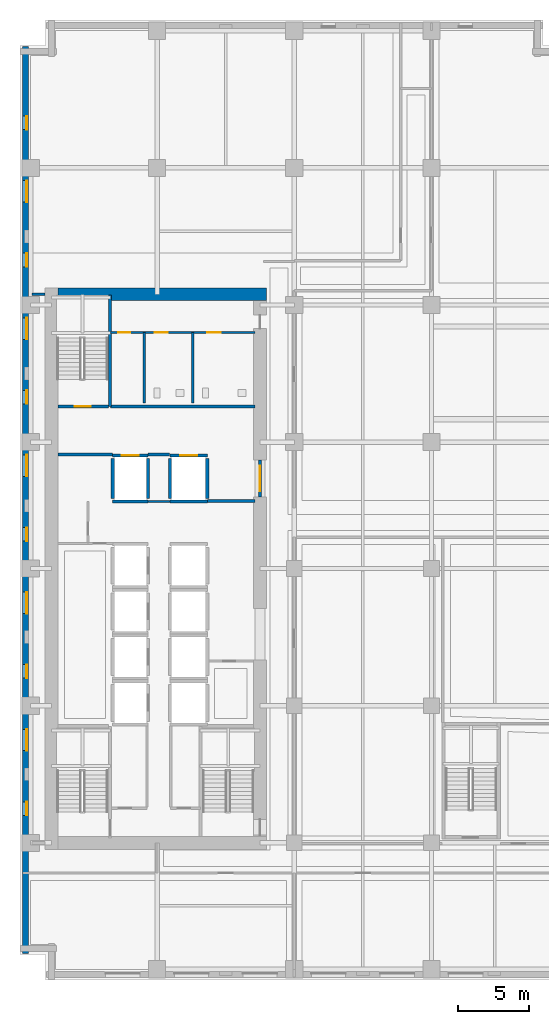
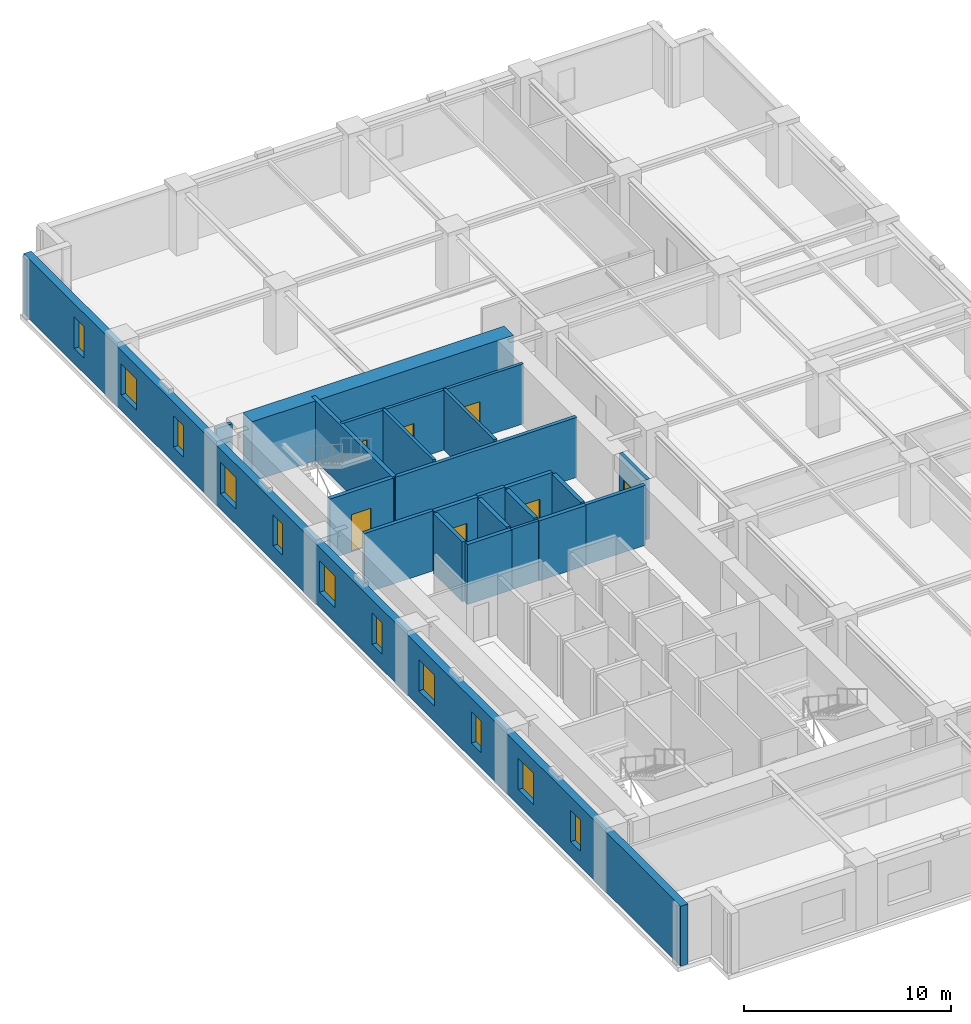
# One storey, part 6 of 13: 22 walls, 11 windows, 7 doors, 18 openings.
"""IFC4 building model written with IfcOpenShell, lengths in metres."""

from ifc_helpers import new_model, si_unit, direction, frame, frame_2d, origin, place, context, subcontext, project, spatial, rectangle, extrude, material, layer, layer_set, type_object, element, fill, save


model = new_model("IFC4")

# Units and contexts
model_context = context("Model", 3, precision=1e-05, world=origin(), true_north=direction((0.0, 1.0)))
body_context = subcontext(model_context, "Body", "Model", "MODEL_VIEW")
ifc_project = project(units=[si_unit("LENGTHUNIT", "METRE"), si_unit("AREAUNIT", "SQUARE_METRE"), si_unit("VOLUMEUNIT", "CUBIC_METRE"), si_unit("PLANEANGLEUNIT", "RADIAN"), si_unit("MASSUNIT", "GRAM", prefix="KILO")], contexts=[model_context])

# Site, building, storey
site_placement = place(None, origin())
site = spatial("IfcSite", under=ifc_project, at=site_placement, CompositionType="ELEMENT")
building_placement = place(site_placement, origin())
building = spatial("IfcBuilding", under=site, at=building_placement, Name="Norrvale University Quadrangle", CompositionType="ELEMENT")
storey_placement = place(building_placement, frame((0.0, 0.0, 54.60009765625)))
storey = spatial("IfcBuildingStorey", under=building, at=storey_placement, Name="L13", CompositionType="ELEMENT", Elevation=54.60009765625)

# Wall, openings, windows
ifc_material_1 = material(Name="Buff Norman Clay Brick Masonry", Category="masonry")
ifc_layer_1 = layer(ifc_material_1, 0.419921875, Name="Buff Norman Clay Brick Masonry")
ifc_layer_set_1 = layer_set([ifc_layer_1], Name="Buff Norman Clay Brick Masonry")
wall_type_1 = type_object("IfcWallType", Name="Wall Buff Brick 420", PredefinedType="SOLIDWALL", material=ifc_layer_set_1)
wall_1_placement = place(storey_placement, frame((0.389892578125, 65.360107421875, 0.0), z_axis=(0.0, 0.0, 1.0), x_axis=(0.0, -1.0, 0.0)))
wall_1 = element("IfcWall", 1, at=wall_1_placement, inside=storey, type_object=wall_type_1, Name="Exterior Brick Facade Wall L13-14.1", PredefinedType="SOLIDWALL", context=body_context, shape_type="SweptSolid", body=[
    extrude(rectangle(XDim=63.52001953125, YDim=0.419921875, at=frame_2d((31.760009765625, 0.0))), origin(), (0.0, 0.0, 1.0), 3.539794921875),
])
opening_1_placement = place(wall_1_placement, frame((4.885009765625, 0.0, 0.89990234375)))
opening_1 = element("IfcOpeningElement", 2, at=opening_1_placement, cuts=wall_1, Name="Opening W04", PredefinedType="OPENING", context=body_context, shape_type="SweptSolid", body=[
    extrude(rectangle(XDim=0.949951171875, YDim=1.85009765625, at=frame_2d((0.47509765625, 0.925048828125))), frame((0.0, 0.221923828125, 0.0), z_axis=(0.0, -1.0, 0.0), x_axis=(1.0, 0.0, 0.0)), (0.0, 0.0, 1.0), 0.44384765625),
])
opening_2_placement = place(wall_1_placement, frame((9.409912109375, 0.0, 0.89990234375)))
opening_2 = element("IfcOpeningElement", 3, at=opening_2_placement, cuts=wall_1, Name="Opening W03", PredefinedType="OPENING", context=body_context, shape_type="SweptSolid", body=[
    extrude(rectangle(XDim=1.5, YDim=1.85009765625, at=frame_2d((0.75, 0.925048828125))), frame((0.0, 0.221923828125, 0.0), z_axis=(0.0, -1.0, 0.0), x_axis=(1.0, 0.0, 0.0)), (0.0, 0.0, 1.0), 0.44384765625),
])
opening_3_placement = place(wall_1_placement, frame((14.485107421875, 0.0, 0.89990234375)))
opening_3 = element("IfcOpeningElement", 4, at=opening_3_placement, cuts=wall_1, Name="Opening W04", PredefinedType="OPENING", context=body_context, shape_type="SweptSolid", body=[
    extrude(rectangle(XDim=0.949951171875, YDim=1.85009765625, at=frame_2d((0.47509765625, 0.925048828125))), frame((0.0, 0.221923828125, 0.0), z_axis=(0.0, -1.0, 0.0), x_axis=(1.0, 0.0, 0.0)), (0.0, 0.0, 1.0), 0.44384765625),
])
opening_4_placement = place(wall_1_placement, frame((19.010009765625, 0.0, 0.89990234375)))
opening_4 = element("IfcOpeningElement", 5, at=opening_4_placement, cuts=wall_1, Name="Opening W03", PredefinedType="OPENING", context=body_context, shape_type="SweptSolid", body=[
    extrude(rectangle(XDim=1.5, YDim=1.85009765625, at=frame_2d((0.75, 0.925048828125))), frame((0.0, 0.221923828125, 0.0), z_axis=(0.0, -1.0, 0.0), x_axis=(1.0, 0.0, 0.0)), (0.0, 0.0, 1.0), 0.44384765625),
])
opening_5_placement = place(wall_1_placement, frame((24.0849609375, 0.0, 0.89990234375)))
opening_5 = element("IfcOpeningElement", 6, at=opening_5_placement, cuts=wall_1, Name="Opening W04", PredefinedType="OPENING", context=body_context, shape_type="SweptSolid", body=[
    extrude(rectangle(XDim=0.949951171875, YDim=1.85009765625, at=frame_2d((0.47509765625, 0.925048828125))), frame((0.0, 0.221923828125, 0.0), z_axis=(0.0, -1.0, 0.0), x_axis=(1.0, 0.0, 0.0)), (0.0, 0.0, 1.0), 0.44384765625),
])
opening_6_placement = place(wall_1_placement, frame((28.610107421875, 0.0, 0.89990234375)))
opening_6 = element("IfcOpeningElement", 7, at=opening_6_placement, cuts=wall_1, Name="Opening W03", PredefinedType="OPENING", context=body_context, shape_type="SweptSolid", body=[
    extrude(rectangle(XDim=1.5, YDim=1.85009765625, at=frame_2d((0.75, 0.925048828125))), frame((0.0, 0.221923828125, 0.0), z_axis=(0.0, -1.0, 0.0), x_axis=(1.0, 0.0, 0.0)), (0.0, 0.0, 1.0), 0.44384765625),
])
opening_7_placement = place(wall_1_placement, frame((33.68505859375, 0.0, 0.89990234375)))
opening_7 = element("IfcOpeningElement", 8, at=opening_7_placement, cuts=wall_1, Name="Opening W04", PredefinedType="OPENING", context=body_context, shape_type="SweptSolid", body=[
    extrude(rectangle(XDim=0.949951171875, YDim=1.85009765625, at=frame_2d((0.47509765625, 0.925048828125))), frame((0.0, 0.221923828125, 0.0), z_axis=(0.0, -1.0, 0.0), x_axis=(1.0, 0.0, 0.0)), (0.0, 0.0, 1.0), 0.44384765625),
])
opening_8_placement = place(wall_1_placement, frame((38.2099609375, 0.0, 0.89990234375)))
opening_8 = element("IfcOpeningElement", 9, at=opening_8_placement, cuts=wall_1, Name="Opening W03", PredefinedType="OPENING", context=body_context, shape_type="SweptSolid", body=[
    extrude(rectangle(XDim=1.5, YDim=1.85009765625, at=frame_2d((0.75, 0.925048828125))), frame((0.0, 0.221923828125, 0.0), z_axis=(0.0, -1.0, 0.0), x_axis=(1.0, 0.0, 0.0)), (0.0, 0.0, 1.0), 0.44384765625),
])
opening_9_placement = place(wall_1_placement, frame((43.284912109375, 0.0, 0.89990234375)))
opening_9 = element("IfcOpeningElement", 10, at=opening_9_placement, cuts=wall_1, Name="Opening W04", PredefinedType="OPENING", context=body_context, shape_type="SweptSolid", body=[
    extrude(rectangle(XDim=0.949951171875, YDim=1.85009765625, at=frame_2d((0.47509765625, 0.925048828125))), frame((0.0, 0.221923828125, 0.0), z_axis=(0.0, -1.0, 0.0), x_axis=(1.0, 0.0, 0.0)), (0.0, 0.0, 1.0), 0.44384765625),
])
opening_10_placement = place(wall_1_placement, frame((47.81005859375, 0.0, 0.89990234375)))
opening_10 = element("IfcOpeningElement", 11, at=opening_10_placement, cuts=wall_1, Name="Opening W03", PredefinedType="OPENING", context=body_context, shape_type="SweptSolid", body=[
    extrude(rectangle(XDim=1.5, YDim=1.85009765625, at=frame_2d((0.75, 0.925048828125))), frame((0.0, 0.221923828125, 0.0), z_axis=(0.0, -1.0, 0.0), x_axis=(1.0, 0.0, 0.0)), (0.0, 0.0, 1.0), 0.44384765625),
])
opening_11_placement = place(wall_1_placement, frame((52.885009765625, 0.0, 0.89990234375)))
opening_11 = element("IfcOpeningElement", 12, at=opening_11_placement, cuts=wall_1, Name="Opening W04", PredefinedType="OPENING", context=body_context, shape_type="SweptSolid", body=[
    extrude(rectangle(XDim=0.949951171875, YDim=1.85009765625, at=frame_2d((0.47509765625, 0.925048828125))), frame((0.0, 0.221923828125, 0.0), z_axis=(0.0, -1.0, 0.0), x_axis=(1.0, 0.0, 0.0)), (0.0, 0.0, 1.0), 0.44384765625),
])
ifc_material_2 = material(Name="Triple Low-E Argon Glazing", Category="glass")
window_type_1 = type_object("IfcWindowType", Name="Window Narrow Pier 950x2300", PartitioningType="SINGLE_PANEL", PredefinedType="WINDOW", material=ifc_material_2)
window_1_placement = place(opening_1_placement, origin())
window_1 = element("IfcWindow", 13, at=window_1_placement, inside=storey, type_object=window_type_1, Name="Window Narrow Pier 950x2300 WIN-L13-E14-1-01", OverallHeight=1.85009765625, OverallWidth=0.949951171875, PartitioningType="SINGLE_PANEL", PredefinedType="WINDOW", context=body_context, shape_type="SweptSolid", body=[
    extrude(rectangle(XDim=0.949951171875, YDim=1.85009765625, at=frame_2d((0.47509765625, 0.925048828125))), frame((0.0, 0.110107421875, 0.0), z_axis=(0.0, -1.0, 0.0), x_axis=(1.0, 0.0, 0.0)), (0.0, 0.0, 1.0), 0.06005859375),
])
fill(opening_1, window_1)
window_2_placement = place(opening_3_placement, origin())
window_2 = element("IfcWindow", 14, at=window_2_placement, inside=storey, type_object=window_type_1, Name="Window Narrow Pier 950x2300 WIN-L13-E14-1-03", OverallHeight=1.85009765625, OverallWidth=0.949951171875, PartitioningType="SINGLE_PANEL", PredefinedType="WINDOW", context=body_context, shape_type="SweptSolid", body=[
    extrude(rectangle(XDim=0.949951171875, YDim=1.85009765625, at=frame_2d((0.47509765625, 0.925048828125))), frame((0.0, 0.110107421875, 0.0), z_axis=(0.0, -1.0, 0.0), x_axis=(1.0, 0.0, 0.0)), (0.0, 0.0, 1.0), 0.06005859375),
])
fill(opening_3, window_2)
window_3_placement = place(opening_5_placement, origin())
window_3 = element("IfcWindow", 15, at=window_3_placement, inside=storey, type_object=window_type_1, Name="Window Narrow Pier 950x2300 WIN-L13-E14-1-05", OverallHeight=1.85009765625, OverallWidth=0.949951171875, PartitioningType="SINGLE_PANEL", PredefinedType="WINDOW", context=body_context, shape_type="SweptSolid", body=[
    extrude(rectangle(XDim=0.949951171875, YDim=1.85009765625, at=frame_2d((0.47509765625, 0.925048828125))), frame((0.0, 0.110107421875, 0.0), z_axis=(0.0, -1.0, 0.0), x_axis=(1.0, 0.0, 0.0)), (0.0, 0.0, 1.0), 0.06005859375),
])
fill(opening_5, window_3)
window_4_placement = place(opening_7_placement, origin())
window_4 = element("IfcWindow", 16, at=window_4_placement, inside=storey, type_object=window_type_1, Name="Window Narrow Pier 950x2300 WIN-L13-E14-1-07", OverallHeight=1.85009765625, OverallWidth=0.949951171875, PartitioningType="SINGLE_PANEL", PredefinedType="WINDOW", context=body_context, shape_type="SweptSolid", body=[
    extrude(rectangle(XDim=0.949951171875, YDim=1.85009765625, at=frame_2d((0.47509765625, 0.925048828125))), frame((0.0, 0.110107421875, 0.0), z_axis=(0.0, -1.0, 0.0), x_axis=(1.0, 0.0, 0.0)), (0.0, 0.0, 1.0), 0.06005859375),
])
fill(opening_7, window_4)
window_5_placement = place(opening_9_placement, origin())
window_5 = element("IfcWindow", 17, at=window_5_placement, inside=storey, type_object=window_type_1, Name="Window Narrow Pier 950x2300 WIN-L13-E14-1-09", OverallHeight=1.85009765625, OverallWidth=0.949951171875, PartitioningType="SINGLE_PANEL", PredefinedType="WINDOW", context=body_context, shape_type="SweptSolid", body=[
    extrude(rectangle(XDim=0.949951171875, YDim=1.85009765625, at=frame_2d((0.47509765625, 0.925048828125))), frame((0.0, 0.110107421875, 0.0), z_axis=(0.0, -1.0, 0.0), x_axis=(1.0, 0.0, 0.0)), (0.0, 0.0, 1.0), 0.06005859375),
])
fill(opening_9, window_5)
window_6_placement = place(opening_11_placement, origin())
window_6 = element("IfcWindow", 18, at=window_6_placement, inside=storey, type_object=window_type_1, Name="Window Narrow Pier 950x2300 WIN-L13-E14-1-11", OverallHeight=1.85009765625, OverallWidth=0.949951171875, PartitioningType="SINGLE_PANEL", PredefinedType="WINDOW", context=body_context, shape_type="SweptSolid", body=[
    extrude(rectangle(XDim=0.949951171875, YDim=1.85009765625, at=frame_2d((0.47509765625, 0.925048828125))), frame((0.0, 0.110107421875, 0.0), z_axis=(0.0, -1.0, 0.0), x_axis=(1.0, 0.0, 0.0)), (0.0, 0.0, 1.0), 0.06005859375),
])
fill(opening_11, window_6)
window_type_2 = type_object("IfcWindowType", Name="Window Studio 1500x2300", PartitioningType="DOUBLE_PANEL_VERTICAL", PredefinedType="WINDOW", material=ifc_material_2)
window_7_placement = place(opening_2_placement, origin())
window_7 = element("IfcWindow", 19, at=window_7_placement, inside=storey, type_object=window_type_2, Name="Window Studio 1500x2300 WIN-L13-E14-1-02", OverallHeight=1.85009765625, OverallWidth=1.5, PartitioningType="DOUBLE_PANEL_VERTICAL", PredefinedType="WINDOW", context=body_context, shape_type="SweptSolid", body=[
    extrude(rectangle(XDim=1.5, YDim=1.85009765625, at=frame_2d((0.75, 0.925048828125))), frame((0.0, 0.110107421875, 0.0), z_axis=(0.0, -1.0, 0.0), x_axis=(1.0, 0.0, 0.0)), (0.0, 0.0, 1.0), 0.06005859375),
])
fill(opening_2, window_7)
window_8_placement = place(opening_4_placement, origin())
window_8 = element("IfcWindow", 20, at=window_8_placement, inside=storey, type_object=window_type_2, Name="Window Studio 1500x2300 WIN-L13-E14-1-04", OverallHeight=1.85009765625, OverallWidth=1.5, PartitioningType="DOUBLE_PANEL_VERTICAL", PredefinedType="WINDOW", context=body_context, shape_type="SweptSolid", body=[
    extrude(rectangle(XDim=1.5, YDim=1.85009765625, at=frame_2d((0.75, 0.925048828125))), frame((0.0, 0.110107421875, 0.0), z_axis=(0.0, -1.0, 0.0), x_axis=(1.0, 0.0, 0.0)), (0.0, 0.0, 1.0), 0.06005859375),
])
fill(opening_4, window_8)
window_9_placement = place(opening_6_placement, origin())
window_9 = element("IfcWindow", 21, at=window_9_placement, inside=storey, type_object=window_type_2, Name="Window Studio 1500x2300 WIN-L13-E14-1-06", OverallHeight=1.85009765625, OverallWidth=1.5, PartitioningType="DOUBLE_PANEL_VERTICAL", PredefinedType="WINDOW", context=body_context, shape_type="SweptSolid", body=[
    extrude(rectangle(XDim=1.5, YDim=1.85009765625, at=frame_2d((0.75, 0.925048828125))), frame((0.0, 0.110107421875, 0.0), z_axis=(0.0, -1.0, 0.0), x_axis=(1.0, 0.0, 0.0)), (0.0, 0.0, 1.0), 0.06005859375),
])
fill(opening_6, window_9)
window_10_placement = place(opening_8_placement, origin())
window_10 = element("IfcWindow", 22, at=window_10_placement, inside=storey, type_object=window_type_2, Name="Window Studio 1500x2300 WIN-L13-E14-1-08", OverallHeight=1.85009765625, OverallWidth=1.5, PartitioningType="DOUBLE_PANEL_VERTICAL", PredefinedType="WINDOW", context=body_context, shape_type="SweptSolid", body=[
    extrude(rectangle(XDim=1.5, YDim=1.85009765625, at=frame_2d((0.75, 0.925048828125))), frame((0.0, 0.110107421875, 0.0), z_axis=(0.0, -1.0, 0.0), x_axis=(1.0, 0.0, 0.0)), (0.0, 0.0, 1.0), 0.06005859375),
])
fill(opening_8, window_10)
window_11_placement = place(opening_10_placement, origin())
window_11 = element("IfcWindow", 23, at=window_11_placement, inside=storey, type_object=window_type_2, Name="Window Studio 1500x2300 WIN-L13-E14-1-10", OverallHeight=1.85009765625, OverallWidth=1.5, PartitioningType="DOUBLE_PANEL_VERTICAL", PredefinedType="WINDOW", context=body_context, shape_type="SweptSolid", body=[
    extrude(rectangle(XDim=1.5, YDim=1.85009765625, at=frame_2d((0.75, 0.925048828125))), frame((0.0, 0.110107421875, 0.0), z_axis=(0.0, -1.0, 0.0), x_axis=(1.0, 0.0, 0.0)), (0.0, 0.0, 1.0), 0.06005859375),
])
fill(opening_10, window_11)

# Walls
ifc_material_3 = material(Name="Concrete C80/95", Category="concrete")
ifc_layer_2 = layer(ifc_material_3, 0.89990234375, Name="Concrete C80/95")
ifc_layer_set_2 = layer_set([ifc_layer_2], Name="Concrete C80/95")
wall_type_2 = type_object("IfcWallType", Name="Wall Core 900", PredefinedType="SHEAR", material=ifc_layer_set_2)
wall_2_placement = place(storey_placement, frame((2.64990234375, 48.0, 0.0), z_axis=(0.0, 0.0, 1.0), x_axis=(1.0, 0.0, 0.0)))
element("IfcWall", 24, at=wall_2_placement, inside=storey, type_object=wall_type_2, Name="Tower Core Shear Wall L13-N", PredefinedType="SHEAR", context=body_context, shape_type="SweptSolid", body=[
    extrude(rectangle(XDim=14.60009765625, YDim=0.89990234375, at=frame_2d((7.300048828125, 0.0))), origin(), (0.0, 0.0, 1.0), 3.539794921875),
])
ifc_material_4 = material(Name="Fire-Rated Gypsum Stud Partition")
ifc_layer_3 = layer(ifc_material_4, 0.14990234375, Name="Fire-Rated Gypsum Stud Partition")
ifc_layer_set_3 = layer_set([ifc_layer_3], Name="Fire-Rated Gypsum Stud Partition")
wall_type_3 = type_object("IfcWallType", Name="Wall Gypsum Corridor 150", PredefinedType="PARTITIONING", material=ifc_layer_set_3)
wall_3_placement = place(storey_placement, frame((8.965087890625, 33.489990234375, 0.0), z_axis=(0.0, 0.0, 1.0), x_axis=(1.0, 0.0, 0.0)))
element("IfcWall", 25, at=wall_3_placement, inside=storey, type_object=wall_type_3, Name="Interior Partition WL-L13-LL3", PredefinedType="PARTITIONING", context=body_context, shape_type="SweptSolid", body=[
    extrude(rectangle(XDim=1.52001953125, YDim=0.14990234375, at=frame_2d((0.760009765625, 0.0))), origin(), (0.0, 0.0, 1.0), 3.539794921875),
])

# Wall, openings, doors
ifc_material_5 = material(Name="Sanitary Chase Gypsum Partition")
ifc_layer_4 = layer(ifc_material_5, 0.1650390625, Name="Sanitary Chase Gypsum Partition")
ifc_layer_set_4 = layer_set([ifc_layer_4], Name="Sanitary Chase Gypsum Partition")
wall_type_4 = type_object("IfcWallType", Name="Wall Gypsum Sanitary 165", PredefinedType="PLUMBINGWALL", material=ifc_layer_set_4)
wall_4_placement = place(storey_placement, frame((6.320068359375, 45.320068359375, 0.0), z_axis=(0.0, 0.0, 1.0), x_axis=(1.0, 0.0, 0.0)))
wall_4 = element("IfcWall", 26, at=wall_4_placement, inside=storey, type_object=wall_type_4, Name="Interior Partition WL-L13-WCN", PredefinedType="PLUMBINGWALL", context=body_context, shape_type="SweptSolid", body=[
    extrude(rectangle(XDim=10.1298828125, YDim=0.1650390625, at=frame_2d((5.06494140625, 0.0))), origin(), (0.0, 0.0, 1.0), 3.539794921875),
])
opening_12_placement = place(wall_4_placement, frame((0.550048828125, 0.0, 0.0)))
opening_12 = element("IfcOpeningElement", 27, at=opening_12_placement, cuts=wall_4, Name="Opening D10", PredefinedType="OPENING", context=body_context, shape_type="SweptSolid", body=[
    extrude(rectangle(XDim=0.85009765625, YDim=2.10009765625, at=frame_2d((0.425048828125, 1.050048828125))), frame((0.0, 0.094482421875, 0.0), z_axis=(0.0, -1.0, 0.0), x_axis=(1.0, 0.0, 0.0)), (0.0, 0.0, 1.0), 0.18896484375),
])
opening_13_placement = place(wall_4_placement, frame((3.10009765625, 0.0, 0.0)))
opening_13 = element("IfcOpeningElement", 28, at=opening_13_placement, cuts=wall_4, Name="Opening D08", PredefinedType="OPENING", context=body_context, shape_type="SweptSolid", body=[
    extrude(rectangle(XDim=0.919921875, YDim=2.14990234375, at=frame_2d((0.4599609375, 1.074951171875))), frame((0.0, 0.094482421875, 0.0), z_axis=(0.0, -1.0, 0.0), x_axis=(1.0, 0.0, 0.0)), (0.0, 0.0, 1.0), 0.18896484375),
])
opening_14_placement = place(wall_4_placement, frame((6.800048828125, 0.0, 0.0)))
opening_14 = element("IfcOpeningElement", 29, at=opening_14_placement, cuts=wall_4, Name="Opening D08", PredefinedType="OPENING", context=body_context, shape_type="SweptSolid", body=[
    extrude(rectangle(XDim=0.919921875, YDim=2.14990234375, at=frame_2d((0.4599609375, 1.074951171875))), frame((0.0, 0.094482421875, 0.0), z_axis=(0.0, -1.0, 0.0), x_axis=(1.0, 0.0, 0.0)), (0.0, 0.0, 1.0), 0.18896484375),
])
ifc_material_6 = material(Name="Hollow Steel 350W Riser Fire Door", Category="steel")
door_type_1 = type_object("IfcDoorType", Name="Door Riser 850x2100", OperationType="NOTDEFINED", PredefinedType="DOOR", material=ifc_material_6)
door_1_placement = place(opening_12_placement, origin())
door_1 = element("IfcDoor", 30, at=door_1_placement, inside=storey, type_object=door_type_1, Name="Door Riser 850x2100 DR-L13-WC1", OperationType="SINGLE_SWING_LEFT", OverallHeight=2.10009765625, OverallWidth=0.85009765625, PredefinedType="DOOR", context=body_context, shape_type="SweptSolid", body=[
    extrude(rectangle(XDim=0.85009765625, YDim=2.10009765625, at=frame_2d((0.425048828125, 1.050048828125))), frame((0.0, 0.02490234375, 0.0), z_axis=(0.0, -1.0, 0.0), x_axis=(1.0, 0.0, 0.0)), (0.0, 0.0, 1.0), 0.050048828125),
])
fill(opening_12, door_1)
ifc_material_7 = material(Name="Laminate Washroom Door", Category="wood")
door_type_2 = type_object("IfcDoorType", Name="Door Washroom 920x2150", OperationType="NOTDEFINED", PredefinedType="DOOR", material=ifc_material_7)
door_2_placement = place(opening_13_placement, origin())
door_2 = element("IfcDoor", 31, at=door_2_placement, inside=storey, type_object=door_type_2, Name="Door Washroom 920x2150 DR-L13-WC2", OperationType="SINGLE_SWING_RIGHT", OverallHeight=2.14990234375, OverallWidth=0.919921875, PredefinedType="DOOR", context=body_context, shape_type="SweptSolid", body=[
    extrude(rectangle(XDim=0.919921875, YDim=2.14990234375, at=frame_2d((0.4599609375, 1.074951171875))), frame((0.0, 0.02490234375, 0.0), z_axis=(0.0, -1.0, 0.0), x_axis=(1.0, 0.0, 0.0)), (0.0, 0.0, 1.0), 0.050048828125),
])
fill(opening_13, door_2)
door_3_placement = place(opening_14_placement, origin())
door_3 = element("IfcDoor", 32, at=door_3_placement, inside=storey, type_object=door_type_2, Name="Door Washroom 920x2150 DR-L13-WC3", OperationType="SINGLE_SWING_LEFT", OverallHeight=2.14990234375, OverallWidth=0.919921875, PredefinedType="DOOR", context=body_context, shape_type="SweptSolid", body=[
    extrude(rectangle(XDim=0.919921875, YDim=2.14990234375, at=frame_2d((0.4599609375, 1.074951171875))), frame((0.0, 0.02490234375, 0.0), z_axis=(0.0, -1.0, 0.0), x_axis=(1.0, 0.0, 0.0)), (0.0, 0.0, 1.0), 0.050048828125),
])
fill(opening_14, door_3)

# Walls
for number, where, z_axis, x_axis, name in (
    (33, (8.699951171875, 40.39990234375, 0.0), (0.0, 0.0, 1.0), (0.0, 1.0, 0.0), "Interior Partition WL-L13-WCM1"),
    (34, (12.10009765625, 40.39990234375, 0.0), (0.0, 0.0, 1.0), (0.0, 1.0, 0.0), "Interior Partition WL-L13-WCM2"),
):
    element("IfcWall", number, at=place(storey_placement, frame(where, z_axis=z_axis, x_axis=x_axis)), inside=storey, type_object=wall_type_4, Name=name, PredefinedType="PLUMBINGWALL", context=body_context, shape_type="SweptSolid", body=[
        extrude(rectangle(XDim=4.920166015625, YDim=0.1650390625, at=frame_2d((2.4599609375, 0.0))), origin(), (0.0, 0.0, 1.0), 3.539794921875),
    ])
ifc_material_8 = material(Name="Concrete Blockwork 20 MPa Rated Wall", Category="masonry")
ifc_layer_5 = layer(ifc_material_8, 0.199951171875, Name="Concrete Blockwork 20 MPa Rated Wall")
ifc_layer_set_5 = layer_set([ifc_layer_5], Name="Concrete Blockwork 20 MPa Rated Wall")
wall_type_5 = type_object("IfcWallType", Name="Wall Lobby 200", PredefinedType="SOLIDWALL", material=ifc_layer_set_5)
wall_5_placement = place(storey_placement, frame((2.64990234375, 36.780029296875, 0.0), z_axis=(0.0, 0.0, 1.0), x_axis=(1.0, 0.0, 0.0)))
element("IfcWall", 35, at=wall_5_placement, inside=storey, type_object=wall_type_5, Name="Interior Partition WL-L13-FF1", PredefinedType="SOLIDWALL", context=body_context, shape_type="SweptSolid", body=[
    extrude(rectangle(XDim=3.830078125, YDim=0.199951171875, at=frame_2d((1.9150390625, 0.0))), origin(), (0.0, 0.0, 1.0), 3.539794921875),
])
wall_6_placement = place(storey_placement, frame((8.969970703125, 36.780029296875, 0.0), z_axis=(0.0, 0.0, 1.0), x_axis=(1.0, 0.0, 0.0)))
element("IfcWall", 36, at=wall_6_placement, inside=storey, type_object=wall_type_5, Name="Interior Partition WL-L13-FF2", PredefinedType="SOLIDWALL", context=body_context, shape_type="SweptSolid", body=[
    extrude(rectangle(XDim=1.510009765625, YDim=0.199951171875, at=frame_2d((0.7548828125, 0.0))), origin(), (0.0, 0.0, 1.0), 3.539794921875),
])
wall_7_placement = place(storey_placement, frame((13.1201171875, 33.52001953125, 0.0), z_axis=(0.0, 0.0, 1.0), x_axis=(1.0, 0.0, 0.0)))
element("IfcWall", 37, at=wall_7_placement, inside=storey, type_object=wall_type_5, Name="Interior Partition WL-L13-FF3", PredefinedType="SOLIDWALL", context=body_context, shape_type="SweptSolid", body=[
    extrude(rectangle(XDim=3.329833984375, YDim=0.199951171875, at=frame_2d((1.6650390625, 0.0))), origin(), (0.0, 0.0, 1.0), 3.539794921875),
])
wall_8_placement = place(storey_placement, frame((6.320068359375, 40.139892578125, 0.0), z_axis=(0.0, 0.0, 1.0), x_axis=(1.0, 0.0, 0.0)))
element("IfcWall", 38, at=wall_8_placement, inside=storey, type_object=wall_type_5, Name="Interior Partition WL-L13-FF4", PredefinedType="SOLIDWALL", context=body_context, shape_type="SweptSolid", body=[
    extrude(rectangle(XDim=10.1298828125, YDim=0.199951171875, at=frame_2d((5.06494140625, 0.0))), origin(), (0.0, 0.0, 1.0), 3.539794921875),
])

# Wall, opening, door
wall_9_placement = place(storey_placement, frame((16.800048828125, 33.800048828125, 0.0), z_axis=(0.0, 0.0, 1.0), x_axis=(0.0, 1.0, 0.0)))
wall_9 = element("IfcWall", 39, at=wall_9_placement, inside=storey, type_object=wall_type_5, Name="Interior Partition WL-L13-FFP", PredefinedType="SOLIDWALL", context=body_context, shape_type="SweptSolid", body=[
    extrude(rectangle(XDim=2.599853515625, YDim=0.199951171875, at=frame_2d((1.2998046875, 0.0))), origin(), (0.0, 0.0, 1.0), 3.539794921875),
])
opening_15_placement = place(wall_9_placement, frame((0.39990234375, 0.0, 0.0)))
opening_15 = element("IfcOpeningElement", 40, at=opening_15_placement, cuts=wall_9, Name="Opening D03", PredefinedType="OPENING", context=body_context, shape_type="SweptSolid", body=[
    extrude(rectangle(XDim=1.800048828125, YDim=2.199951171875, at=frame_2d((0.89990234375, 1.10009765625))), frame((0.0, 0.112060546875, 0.0), z_axis=(0.0, -1.0, 0.0), x_axis=(1.0, 0.0, 0.0)), (0.0, 0.0, 1.0), 0.223876953125),
])
ifc_material_9 = material(Name="Hollow Steel 350W Fire Door", Category="steel")
door_type_3 = type_object("IfcDoorType", Name="Door Fire Lobby 1800x2200", OperationType="DOUBLE_DOOR_SINGLE_SWING", PredefinedType="DOOR", material=ifc_material_9)
door_4_placement = place(opening_15_placement, origin())
door_4 = element("IfcDoor", 41, at=door_4_placement, inside=storey, type_object=door_type_3, Name="Door Fire Lobby 1800x2200 DR-L13-FFP", OperationType="DOUBLE_DOOR_SINGLE_SWING", OverallHeight=2.199951171875, OverallWidth=1.800048828125, PredefinedType="DOOR", context=body_context, shape_type="SweptSolid", body=[
    extrude(rectangle(XDim=1.800048828125, YDim=2.199951171875, at=frame_2d((0.89990234375, 1.10009765625))), frame((0.0, 0.02490234375, 0.0), z_axis=(0.0, -1.0, 0.0), x_axis=(1.0, 0.0, 0.0)), (0.0, 0.0, 1.0), 0.050048828125),
])
fill(opening_15, door_4)

# Wall
wall_10_placement = place(storey_placement, frame((0.85009765625, 48.0, 0.0), z_axis=(0.0, 0.0, 1.0), x_axis=(1.0, 0.0, 0.0)))
element("IfcWall", 42, at=wall_10_placement, inside=storey, type_object=wall_type_5, Name="Interior Partition WL-L13-CWRET-N", PredefinedType="SOLIDWALL", context=body_context, shape_type="SweptSolid", body=[
    extrude(rectangle(XDim=0.89501953125, YDim=0.199951171875, at=frame_2d((0.447509765625, 0.0))), origin(), (0.0, 0.0, 1.0), 3.539794921875),
])

# Wall, opening, door
ifc_material_10 = material(Name="Concrete Blockwork 20 MPa Fire Shaft", Category="masonry")
ifc_layer_6 = layer(ifc_material_10, 0.219970703125, Name="Concrete Blockwork 20 MPa Fire Shaft")
ifc_layer_set_6 = layer_set([ifc_layer_6], Name="Concrete Blockwork 20 MPa Fire Shaft")
wall_type_6 = type_object("IfcWallType", Name="Wall Shaft 220", PredefinedType="SOLIDWALL", material=ifc_layer_set_6)
wall_11_placement = place(storey_placement, frame((2.64990234375, 40.139892578125, 0.0), z_axis=(0.0, 0.0, 1.0), x_axis=(1.0, 0.0, 0.0)))
wall_11 = element("IfcWall", 43, at=wall_11_placement, inside=storey, type_object=wall_type_6, Name="Stair ST-02 South Shaft Wall L13", PredefinedType="SOLIDWALL", context=body_context, shape_type="SweptSolid", body=[
    extrude(rectangle(XDim=3.550048828125, YDim=0.219970703125, at=frame_2d((1.77490234375, 0.0))), origin(), (0.0, 0.0, 1.0), 3.539794921875),
])
opening_16_placement = place(wall_11_placement, frame((1.199951171875, 0.0, 0.0)))
opening_16 = element("IfcOpeningElement", 44, at=opening_16_placement, cuts=wall_11, Name="Opening D02", PredefinedType="OPENING", context=body_context, shape_type="SweptSolid", body=[
    extrude(rectangle(XDim=1.10009765625, YDim=2.199951171875, at=frame_2d((0.550048828125, 1.10009765625))), frame((0.0, 0.1220703125, 0.0), z_axis=(0.0, -1.0, 0.0), x_axis=(1.0, 0.0, 0.0)), (0.0, 0.0, 1.0), 0.243896484375),
])
door_type_4 = type_object("IfcDoorType", Name="Door Stair Exit 1100x2200", OperationType="NOTDEFINED", PredefinedType="DOOR", material=ifc_material_9)
door_5_placement = place(opening_16_placement, origin())
door_5 = element("IfcDoor", 45, at=door_5_placement, inside=storey, type_object=door_type_4, Name="Door Stair Exit 1100x2200 DR-L13-ST02", OperationType="SINGLE_SWING_LEFT", OverallHeight=2.199951171875, OverallWidth=1.10009765625, PredefinedType="DOOR", context=body_context, shape_type="SweptSolid", body=[
    extrude(rectangle(XDim=1.10009765625, YDim=2.199951171875, at=frame_2d((0.550048828125, 1.10009765625))), frame((0.0, 0.02490234375, 0.0), z_axis=(0.0, -1.0, 0.0), x_axis=(1.0, 0.0, 0.0)), (0.0, 0.0, 1.0), 0.050048828125),
])
fill(opening_16, door_5)

# Walls
wall_12_placement = place(storey_placement, frame((6.31005859375, 40.139892578125, 0.0), z_axis=(0.0, 0.0, 1.0), x_axis=(0.0, 1.0, 0.0)))
element("IfcWall", 46, at=wall_12_placement, inside=storey, type_object=wall_type_6, Name="Stair ST-02 East Shaft Wall L13", PredefinedType="SOLIDWALL", context=body_context, shape_type="SweptSolid", body=[
    extrude(rectangle(XDim=7.81005859375, YDim=0.219970703125, at=frame_2d((3.905029296875, 0.0))), origin(), (0.0, 0.0, 1.0), 3.539794921875),
])
for number, where, z_axis, x_axis, name in (
    (47, (6.489990234375, 33.7099609375, 0.0), (0.0, 0.0, 1.0), (0.0, 1.0, 0.0), "Hoistway FFL-01 West Wall L13"),
    (48, (8.9599609375, 33.7099609375, 0.0), (0.0, 0.0, 1.0), (0.0, 1.0, 0.0), "Hoistway FFL-01 East Wall L13"),
):
    element("IfcWall", number, at=place(storey_placement, frame(where, z_axis=z_axis, x_axis=x_axis)), inside=storey, type_object=wall_type_6, Name=name, PredefinedType="SOLIDWALL", context=body_context, shape_type="SweptSolid", body=[
        extrude(rectangle(XDim=2.780029296875, YDim=0.219970703125, at=frame_2d((1.39013671875, 0.0))), origin(), (0.0, 0.0, 1.0), 3.539794921875),
    ])
wall_13_placement = place(storey_placement, frame((6.489990234375, 33.489990234375, 0.0), z_axis=(0.0, 0.0, 1.0), x_axis=(1.0, 0.0, 0.0)))
element("IfcWall", 49, at=wall_13_placement, inside=storey, type_object=wall_type_6, Name="Hoistway FFL-01 South Wall L13", PredefinedType="SOLIDWALL", context=body_context, shape_type="SweptSolid", body=[
    extrude(rectangle(XDim=2.469970703125, YDim=0.219970703125, at=frame_2d((1.23486328125, 0.0))), origin(), (0.0, 0.0, 1.0), 3.539794921875),
])

# Wall, opening, door
wall_14_placement = place(storey_placement, frame((6.489990234375, 36.7099609375, 0.0), z_axis=(0.0, 0.0, 1.0), x_axis=(1.0, 0.0, 0.0)))
wall_14 = element("IfcWall", 50, at=wall_14_placement, inside=storey, type_object=wall_type_6, Name="Hoistway FFL-01 North Wall L13", PredefinedType="SOLIDWALL", context=body_context, shape_type="SweptSolid", body=[
    extrude(rectangle(XDim=2.469970703125, YDim=0.219970703125, at=frame_2d((1.23486328125, 0.0))), origin(), (0.0, 0.0, 1.0), 3.539794921875),
])
opening_17_placement = place(wall_14_placement, frame((0.635009765625, 0.0, 0.0)))
opening_17 = element("IfcOpeningElement", 51, at=opening_17_placement, cuts=wall_14, Name="Opening LD2", PredefinedType="OPENING", context=body_context, shape_type="SweptSolid", body=[
    extrude(rectangle(XDim=1.199951171875, YDim=2.199951171875, at=frame_2d((0.60009765625, 1.10009765625))), frame((0.0, 0.1220703125, 0.0), z_axis=(0.0, -1.0, 0.0), x_axis=(1.0, 0.0, 0.0)), (0.0, 0.0, 1.0), 0.243896484375),
])
ifc_material_11 = material(Name="Stainless Steel 316L Firefighter Lift Door", Category="steel")
door_type_5 = type_object("IfcDoorType", Name="Door Fire Lift 1200x2200", OperationType="DOUBLE_DOOR_SLIDING", PredefinedType="DOOR", material=ifc_material_11)
door_6_placement = place(opening_17_placement, origin())
door_6 = element("IfcDoor", 52, at=door_6_placement, inside=storey, type_object=door_type_5, Name="Elevator Landing Door DR-L13-FFL-01", OperationType="DOUBLE_DOOR_SLIDING", OverallHeight=2.199951171875, OverallWidth=1.199951171875, PredefinedType="DOOR", context=body_context, shape_type="SweptSolid", body=[
    extrude(rectangle(XDim=1.199951171875, YDim=2.199951171875, at=frame_2d((0.60009765625, 1.10009765625))), frame((0.0, 0.02490234375, 0.0), z_axis=(0.0, -1.0, 0.0), x_axis=(1.0, 0.0, 0.0)), (0.0, 0.0, 1.0), 0.050048828125),
])
fill(opening_17, door_6)

# Walls
for number, where, z_axis, x_axis, name in (
    (53, (10.489990234375, 33.7099609375, 0.0), (0.0, 0.0, 1.0), (0.0, 1.0, 0.0), "Hoistway FFL-02 West Wall L13"),
    (54, (13.110107421875, 33.7099609375, 0.0), (0.0, 0.0, 1.0), (0.0, 1.0, 0.0), "Hoistway FFL-02 East Wall L13"),
):
    element("IfcWall", number, at=place(storey_placement, frame(where, z_axis=z_axis, x_axis=x_axis)), inside=storey, type_object=wall_type_6, Name=name, PredefinedType="SOLIDWALL", context=body_context, shape_type="SweptSolid", body=[
        extrude(rectangle(XDim=2.780029296875, YDim=0.219970703125, at=frame_2d((1.39013671875, 0.0))), origin(), (0.0, 0.0, 1.0), 3.539794921875),
    ])
wall_15_placement = place(storey_placement, frame((10.489990234375, 33.489990234375, 0.0), z_axis=(0.0, 0.0, 1.0), x_axis=(1.0, 0.0, 0.0)))
element("IfcWall", 55, at=wall_15_placement, inside=storey, type_object=wall_type_6, Name="Hoistway FFL-02 South Wall L13", PredefinedType="SOLIDWALL", context=body_context, shape_type="SweptSolid", body=[
    extrude(rectangle(XDim=2.6201171875, YDim=0.219970703125, at=frame_2d((1.31005859375, 0.0))), origin(), (0.0, 0.0, 1.0), 3.539794921875),
])

# Wall, opening, door
wall_16_placement = place(storey_placement, frame((10.489990234375, 36.7099609375, 0.0), z_axis=(0.0, 0.0, 1.0), x_axis=(1.0, 0.0, 0.0)))
wall_16 = element("IfcWall", 56, at=wall_16_placement, inside=storey, type_object=wall_type_6, Name="Hoistway FFL-02 North Wall L13", PredefinedType="SOLIDWALL", context=body_context, shape_type="SweptSolid", body=[
    extrude(rectangle(XDim=2.6201171875, YDim=0.219970703125, at=frame_2d((1.31005859375, 0.0))), origin(), (0.0, 0.0, 1.0), 3.539794921875),
])
opening_18_placement = place(wall_16_placement, frame((0.7099609375, 0.0, 0.0)))
opening_18 = element("IfcOpeningElement", 57, at=opening_18_placement, cuts=wall_16, Name="Opening LD2", PredefinedType="OPENING", context=body_context, shape_type="SweptSolid", body=[
    extrude(rectangle(XDim=1.199951171875, YDim=2.199951171875, at=frame_2d((0.60009765625, 1.10009765625))), frame((0.0, 0.1220703125, 0.0), z_axis=(0.0, -1.0, 0.0), x_axis=(1.0, 0.0, 0.0)), (0.0, 0.0, 1.0), 0.243896484375),
])
door_7_placement = place(opening_18_placement, origin())
door_7 = element("IfcDoor", 58, at=door_7_placement, inside=storey, type_object=door_type_5, Name="Elevator Landing Door DR-L13-FFL-02", OperationType="DOUBLE_DOOR_SLIDING", OverallHeight=2.199951171875, OverallWidth=1.199951171875, PredefinedType="DOOR", context=body_context, shape_type="SweptSolid", body=[
    extrude(rectangle(XDim=1.199951171875, YDim=2.199951171875, at=frame_2d((0.60009765625, 1.10009765625))), frame((0.0, 0.02490234375, 0.0), z_axis=(0.0, -1.0, 0.0), x_axis=(1.0, 0.0, 0.0)), (0.0, 0.0, 1.0), 0.050048828125),
])
fill(opening_18, door_7)

save(model, "model.ifc")
